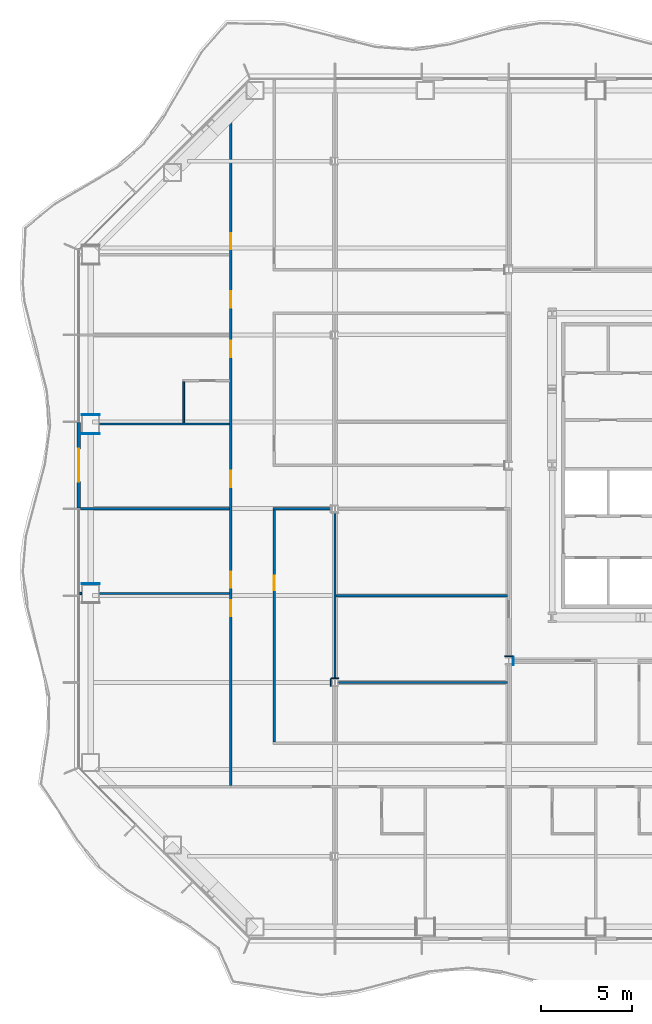
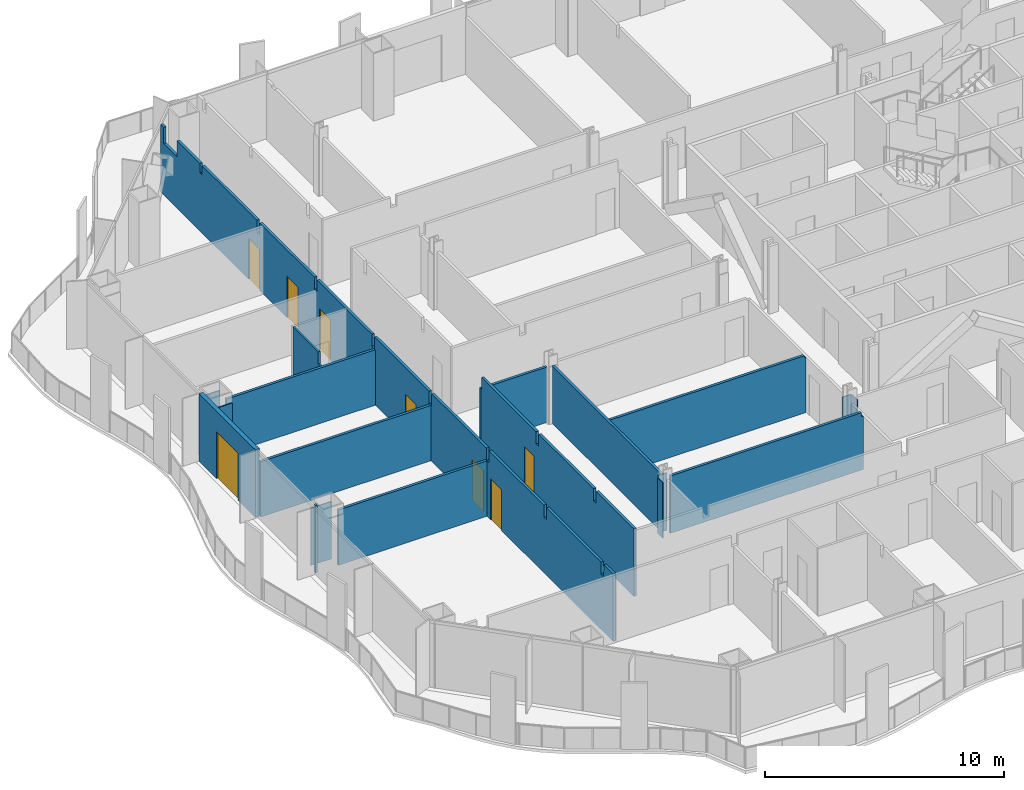
# One storey, part 7 of 21: 19 walls, 8 doors, 8 openings.
"""IFC4 building model written with IfcOpenShell, lengths in metres."""

from ifc_helpers import new_model, si_unit, direction, frame, frame_2d, origin, place, context, subcontext, project, spatial, polyline, rectangle, outline, extrude, material, layer, layer_set, type_object, element, fill, save


model = new_model("IFC4")

# Units and contexts
model_context = context("Model", 3, precision=1e-05, world=origin(), true_north=direction((0.0, 1.0)))
body_context = subcontext(model_context, "Body", "Model", "MODEL_VIEW")
ifc_project = project(units=[si_unit("LENGTHUNIT", "METRE"), si_unit("AREAUNIT", "SQUARE_METRE"), si_unit("VOLUMEUNIT", "CUBIC_METRE"), si_unit("PLANEANGLEUNIT", "RADIAN"), si_unit("MASSUNIT", "GRAM", prefix="KILO")], contexts=[model_context])

# Site, building, storey
site_placement = place(None, origin())
site = spatial("IfcSite", under=ifc_project, at=site_placement, CompositionType="ELEMENT")
building_placement = place(site_placement, origin())
building = spatial("IfcBuilding", under=site, at=building_placement, Name="Cairn Pilgrim Tower", CompositionType="ELEMENT")
storey_placement = place(building_placement, frame((0.0, 0.0, 43.800048828125)))
storey = spatial("IfcBuildingStorey", under=building, at=storey_placement, Name="L08", CompositionType="ELEMENT", Elevation=43.800048828125)

# Wall, opening, door
ifc_material_1 = material(Name="Bronze anodised aluminium insulated sandwich panel with mineral wool fill", Category="aluminium")
ifc_layer_1 = layer(ifc_material_1, 0.199951171875)
ifc_layer_set_1 = layer_set([ifc_layer_1], Name="BRONZE INFILL FRAME WALL 200")
wall_type_1 = type_object("IfcWallType", Name="BRONZE INFILL FRAME WALL 200", PredefinedType="NOTDEFINED", material=ifc_layer_set_1)
wall_1_placement = place(storey_placement, frame((-28.550048828125, 4.77001953125, 0.0), z_axis=(0.0, 0.0, 1.0), x_axis=(0.0, -1.0, 0.0)))
wall_1 = element("IfcWall", 1, at=wall_1_placement, inside=storey, type_object=wall_type_1, Name="Bronze infill frame wall IW-W3", PredefinedType="NOTDEFINED", context=body_context, shape_type="SweptSolid", body=[
    extrude(rectangle(XDim=4.739990234375, YDim=0.199951171875, at=frame_2d((2.3701171875, 0.0))), origin(), (0.0, 0.0, 1.0), 3.449951171875),
])
opening_1_placement = place(wall_1_placement, frame((1.469970703125, 0.0, 0.0)))
opening_1 = element("IfcOpeningElement", 2, at=opening_1_placement, cuts=wall_1, Name="Opening 0811B", PredefinedType="OPENING", context=body_context, shape_type="SweptSolid", body=[
    extrude(rectangle(XDim=1.800048828125, YDim=2.39990234375, at=frame_2d((0.89990234375, 1.199951171875))), frame((0.0, 0.10986328125, 0.0), z_axis=(0.0, -1.0, 0.0), x_axis=(1.0, 0.0, 0.0)), (0.0, 0.0, 1.0), 0.219970703125),
])
ifc_material_2 = material(Name="Bronze anodised aluminium frame with tinted low-E glass", Category="aluminium")
door_type_1 = type_object("IfcDoorType", Name="BALCONY SLIDING DOOR 1800x2400", OperationType="DOUBLE_DOOR_SLIDING", PredefinedType="DOOR", material=ifc_material_2)
door_1_placement = place(opening_1_placement, origin())
door_1 = element("IfcDoor", 3, at=door_1_placement, inside=storey, type_object=door_type_1, Name="Balcony sliding door 0811B", OperationType="SINGLE_SWING_LEFT", OverallHeight=2.39990234375, OverallWidth=1.800048828125, PredefinedType="DOOR", context=body_context, shape_type="SweptSolid", body=[
    extrude(rectangle(XDim=1.800048828125, YDim=2.39990234375, at=frame_2d((0.89990234375, 1.199951171875))), frame((0.0, 0.02490234375, 0.0), z_axis=(0.0, -1.0, 0.0), x_axis=(1.0, 0.0, 0.0)), (0.0, 0.0, 1.0), 0.050048828125),
])
fill(opening_1, door_1)

# Wall
ifc_material_3 = material(Name="Gypsum partition")
ifc_layer_2 = layer(ifc_material_3, 0.10009765625)
ifc_layer_set_2 = layer_set([ifc_layer_2], Name="PARTITION 100 DRYWALL")
wall_type_2 = type_object("IfcWallType", Name="PARTITION 100 DRYWALL", PredefinedType="PARTITIONING", material=ifc_layer_set_2)
wall_2_placement = place(storey_placement, frame((-22.75, 4.738525390625, 0.0), z_axis=(0.0, 0.0, 1.0), x_axis=(0.0, 1.0, 0.0)))
element("IfcWall", 4, at=wall_2_placement, inside=storey, type_object=wall_type_2, Name="PARTITION W065", PredefinedType="PARTITIONING", context=body_context, shape_type="SweptSolid", body=[
    extrude(outline(polyline([(0.0, 0.0), (2.287353515625, 0.0), (2.28759765625, 3.449951171875), (0.17138671875, 3.449951171875), (0.16943359375, 2.829833984375), (0.0, 2.829833984375), (0.0, 0.0)])), frame((0.0, 0.050048828125, 0.0), z_axis=(0.0, -1.0, 0.0), x_axis=(1.0, 0.0, 0.0)), (0.0, 0.0, 1.0), 0.10009765625),
])

# Wall, openings, doors
ifc_layer_3 = layer(ifc_material_3, 0.125)
ifc_layer_set_3 = layer_set([ifc_layer_3], Name="PARTITION 125 DRYWALL EI 60")
wall_type_3 = type_object("IfcWallType", Name="PARTITION 125 DRYWALL EI 60", PredefinedType="PARTITIONING", material=ifc_layer_set_3)
wall_3_placement = place(storey_placement, frame((-20.14990234375, -15.28759765625, 0.0), z_axis=(0.0, 0.0, 1.0), x_axis=(0.0, 1.0, 0.0)))
wall_3 = element("IfcWall", 5, at=wall_3_placement, inside=storey, type_object=wall_type_3, Name="PARTITION W023", PredefinedType="PARTITIONING", context=body_context, shape_type="SweptSolid", body=[
    extrude(outline(polyline([(0.0, 0.0), (37.876220703125, 0.0), (37.876220703125, 3.449951171875), (37.622314453125, 3.449951171875), (37.6201171875, 2.6298828125), (36.507080078125, 2.6298828125), (36.505126953125, 3.449951171875), (34.58251953125, 3.449951171875), (34.58056640625, 2.97998046875), (34.392578125, 2.97998046875), (34.390380859375, 3.449951171875), (29.797607421875, 3.449951171875), (29.79541015625, 2.829833984375), (29.577392578125, 2.829833984375), (29.575439453125, 3.449951171875), (24.99755859375, 3.449951171875), (24.99560546875, 2.829833984375), (24.777587890625, 2.829833984375), (24.775390625, 3.449951171875), (20.197509765625, 3.449951171875), (20.195556640625, 2.829833984375), (19.9775390625, 2.829833984375), (19.9755859375, 3.449951171875), (15.3974609375, 3.449951171875), (15.3955078125, 2.829833984375), (15.177490234375, 2.829833984375), (15.175537109375, 3.449951171875), (10.597412109375, 3.449951171875), (10.595458984375, 2.829833984375), (10.37744140625, 2.829833984375), (10.37548828125, 3.449951171875), (5.797607421875, 3.449951171875), (5.79541015625, 2.829833984375), (5.577392578125, 2.829833984375), (5.575439453125, 3.449951171875), (0.99755859375, 3.449951171875), (0.99560546875, 2.829833984375), (0.777587890625, 2.829833984375), (0.775390625, 3.449951171875), (0.0, 3.449951171875), (0.0, 0.0)])), frame((0.0, 0.0625, 0.0), z_axis=(0.0, -1.0, 0.0), x_axis=(1.0, 0.0, 0.0)), (0.0, 0.0, 1.0), 0.125),
])
opening_2_placement = place(wall_3_placement, frame((9.33740234375, 0.0, 0.0)))
opening_2 = element("IfcOpeningElement", 6, at=opening_2_placement, cuts=wall_3, Name="Opening 0809", PredefinedType="OPENING", context=body_context, shape_type="SweptSolid", body=[
    extrude(rectangle(XDim=0.89990234375, YDim=2.10009765625, at=frame_2d((0.449951171875, 1.050048828125))), frame((0.0, 0.072509765625, 0.0), z_axis=(0.0, -1.0, 0.0), x_axis=(1.0, 0.0, 0.0)), (0.0, 0.0, 1.0), 0.14501953125),
])
opening_3_placement = place(wall_3_placement, frame((10.91162109375, 0.0, 0.0)))
opening_3 = element("IfcOpeningElement", 7, at=opening_3_placement, cuts=wall_3, Name="Opening 0810", PredefinedType="OPENING", context=body_context, shape_type="SweptSolid", body=[
    extrude(rectangle(XDim=0.89990234375, YDim=2.10009765625, at=frame_2d((0.449951171875, 1.050048828125))), frame((0.0, 0.072509765625, 0.0), z_axis=(0.0, -1.0, 0.0), x_axis=(1.0, 0.0, 0.0)), (0.0, 0.0, 1.0), 0.14501953125),
])
opening_4_placement = place(wall_3_placement, frame((16.487548828125, 0.0, 0.0)))
opening_4 = element("IfcOpeningElement", 8, at=opening_4_placement, cuts=wall_3, Name="Opening 0811", PredefinedType="OPENING", context=body_context, shape_type="SweptSolid", body=[
    extrude(rectangle(XDim=0.89990234375, YDim=2.10009765625, at=frame_2d((0.449951171875, 1.050048828125))), frame((0.0, 0.072509765625, 0.0), z_axis=(0.0, -1.0, 0.0), x_axis=(1.0, 0.0, 0.0)), (0.0, 0.0, 1.0), 0.14501953125),
])
opening_5_placement = place(wall_3_placement, frame((23.66357421875, 0.0, 0.0)))
opening_5 = element("IfcOpeningElement", 9, at=opening_5_placement, cuts=wall_3, Name="Opening 0812", PredefinedType="OPENING", context=body_context, shape_type="SweptSolid", body=[
    extrude(rectangle(XDim=0.89990234375, YDim=2.10009765625, at=frame_2d((0.449951171875, 1.050048828125))), frame((0.0, 0.072509765625, 0.0), z_axis=(0.0, -1.0, 0.0), x_axis=(1.0, 0.0, 0.0)), (0.0, 0.0, 1.0), 0.14501953125),
])
opening_6_placement = place(wall_3_placement, frame((26.387451171875, 0.0, 0.0)))
opening_6 = element("IfcOpeningElement", 10, at=opening_6_placement, cuts=wall_3, Name="Opening 0813", PredefinedType="OPENING", context=body_context, shape_type="SweptSolid", body=[
    extrude(rectangle(XDim=0.89990234375, YDim=2.10009765625, at=frame_2d((0.449951171875, 1.050048828125))), frame((0.0, 0.072509765625, 0.0), z_axis=(0.0, -1.0, 0.0), x_axis=(1.0, 0.0, 0.0)), (0.0, 0.0, 1.0), 0.14501953125),
])
opening_7_placement = place(wall_3_placement, frame((29.614501953125, 0.0, 0.0)))
opening_7 = element("IfcOpeningElement", 11, at=opening_7_placement, cuts=wall_3, Name="Opening 0814", PredefinedType="OPENING", context=body_context, shape_type="SweptSolid", body=[
    extrude(rectangle(XDim=0.89990234375, YDim=2.10009765625, at=frame_2d((0.449951171875, 1.050048828125))), frame((0.0, 0.072509765625, 0.0), z_axis=(0.0, -1.0, 0.0), x_axis=(1.0, 0.0, 0.0)), (0.0, 0.0, 1.0), 0.14501953125),
])
ifc_material_4 = material(Name="Steel-faced fire door leaf", Category="steel")
door_type_2 = type_object("IfcDoorType", Name="FIRE DOOR 900x2100 FD30S", OperationType="NOTDEFINED", PredefinedType="DOOR", material=ifc_material_4)
door_2_placement = place(opening_2_placement, origin())
door_2 = element("IfcDoor", 12, at=door_2_placement, inside=storey, type_object=door_type_2, Name="DOOR 0809", OperationType="SINGLE_SWING_LEFT", OverallHeight=2.10009765625, OverallWidth=0.89990234375, PredefinedType="DOOR", context=body_context, shape_type="SweptSolid", body=[
    extrude(rectangle(XDim=0.89990234375, YDim=2.10009765625, at=frame_2d((0.449951171875, 1.050048828125))), frame((0.0, 0.02490234375, 0.0), z_axis=(0.0, -1.0, 0.0), x_axis=(1.0, 0.0, 0.0)), (0.0, 0.0, 1.0), 0.050048828125),
])
fill(opening_2, door_2)
door_3_placement = place(opening_3_placement, origin())
door_3 = element("IfcDoor", 13, at=door_3_placement, inside=storey, type_object=door_type_2, Name="DOOR 0810", OperationType="SINGLE_SWING_RIGHT", OverallHeight=2.10009765625, OverallWidth=0.89990234375, PredefinedType="DOOR", context=body_context, shape_type="SweptSolid", body=[
    extrude(rectangle(XDim=0.89990234375, YDim=2.10009765625, at=frame_2d((0.449951171875, 1.050048828125))), frame((0.0, 0.02490234375, 0.0), z_axis=(0.0, -1.0, 0.0), x_axis=(1.0, 0.0, 0.0)), (0.0, 0.0, 1.0), 0.050048828125),
])
fill(opening_3, door_3)
door_4_placement = place(opening_4_placement, origin())
door_4 = element("IfcDoor", 14, at=door_4_placement, inside=storey, type_object=door_type_2, Name="DOOR 0811", OperationType="SINGLE_SWING_LEFT", OverallHeight=2.10009765625, OverallWidth=0.89990234375, PredefinedType="DOOR", context=body_context, shape_type="SweptSolid", body=[
    extrude(rectangle(XDim=0.89990234375, YDim=2.10009765625, at=frame_2d((0.449951171875, 1.050048828125))), frame((0.0, 0.02490234375, 0.0), z_axis=(0.0, -1.0, 0.0), x_axis=(1.0, 0.0, 0.0)), (0.0, 0.0, 1.0), 0.050048828125),
])
fill(opening_4, door_4)
door_5_placement = place(opening_5_placement, origin())
door_5 = element("IfcDoor", 15, at=door_5_placement, inside=storey, type_object=door_type_2, Name="DOOR 0812", OperationType="SINGLE_SWING_RIGHT", OverallHeight=2.10009765625, OverallWidth=0.89990234375, PredefinedType="DOOR", context=body_context, shape_type="SweptSolid", body=[
    extrude(rectangle(XDim=0.89990234375, YDim=2.10009765625, at=frame_2d((0.449951171875, 1.050048828125))), frame((0.0, 0.02490234375, 0.0), z_axis=(0.0, -1.0, 0.0), x_axis=(1.0, 0.0, 0.0)), (0.0, 0.0, 1.0), 0.050048828125),
])
fill(opening_5, door_5)
door_6_placement = place(opening_6_placement, origin())
door_6 = element("IfcDoor", 16, at=door_6_placement, inside=storey, type_object=door_type_2, Name="DOOR 0813", OperationType="SINGLE_SWING_RIGHT", OverallHeight=2.10009765625, OverallWidth=0.89990234375, PredefinedType="DOOR", context=body_context, shape_type="SweptSolid", body=[
    extrude(rectangle(XDim=0.89990234375, YDim=2.10009765625, at=frame_2d((0.449951171875, 1.050048828125))), frame((0.0, 0.02490234375, 0.0), z_axis=(0.0, -1.0, 0.0), x_axis=(1.0, 0.0, 0.0)), (0.0, 0.0, 1.0), 0.050048828125),
])
fill(opening_6, door_6)
door_7_placement = place(opening_7_placement, origin())
door_7 = element("IfcDoor", 17, at=door_7_placement, inside=storey, type_object=door_type_2, Name="DOOR 0814", OperationType="SINGLE_SWING_LEFT", OverallHeight=2.10009765625, OverallWidth=0.89990234375, PredefinedType="DOOR", context=body_context, shape_type="SweptSolid", body=[
    extrude(rectangle(XDim=0.89990234375, YDim=2.10009765625, at=frame_2d((0.449951171875, 1.050048828125))), frame((0.0, 0.02490234375, 0.0), z_axis=(0.0, -1.0, 0.0), x_axis=(1.0, 0.0, 0.0)), (0.0, 0.0, 1.0), 0.050048828125),
])
fill(opening_7, door_7)

# Wall, opening, door
wall_4_placement = place(storey_placement, frame((-17.75, -12.887451171875, 0.0), z_axis=(0.0, 0.0, 1.0), x_axis=(0.0, 1.0, 0.0)))
wall_4 = element("IfcWall", 18, at=wall_4_placement, inside=storey, type_object=wall_type_3, Name="PARTITION W027", PredefinedType="PARTITIONING", context=body_context, shape_type="SweptSolid", body=[
    extrude(outline(polyline([(0.0, 0.0), (12.824951171875, 0.0), (12.824951171875, 2.829833984375), (12.777587890625, 2.829833984375), (12.775390625, 3.449951171875), (8.197509765625, 3.449951171875), (8.195556640625, 2.829833984375), (7.9775390625, 2.829833984375), (7.9755859375, 3.449951171875), (3.3974609375, 3.449951171875), (3.3955078125, 2.829833984375), (3.177490234375, 2.829833984375), (3.175537109375, 3.449951171875), (0.0, 3.449951171875), (0.0, 0.0)])), frame((0.0, 0.0625, 0.0), z_axis=(0.0, -1.0, 0.0), x_axis=(1.0, 0.0, 0.0)), (0.0, 0.0, 1.0), 0.125),
])
opening_8_placement = place(wall_4_placement, frame((8.387451171875, 0.0, 0.0)))
opening_8 = element("IfcOpeningElement", 19, at=opening_8_placement, cuts=wall_4, Name="Opening 0832", PredefinedType="OPENING", context=body_context, shape_type="SweptSolid", body=[
    extrude(rectangle(XDim=0.800048828125, YDim=2.10009765625, at=frame_2d((0.39990234375, 1.050048828125))), frame((0.0, 0.072509765625, 0.0), z_axis=(0.0, -1.0, 0.0), x_axis=(1.0, 0.0, 0.0)), (0.0, 0.0, 1.0), 0.14501953125),
])
door_type_3 = type_object("IfcDoorType", Name="FIRE DOOR 800x2100 FD30S", OperationType="NOTDEFINED", PredefinedType="DOOR", material=ifc_material_4)
door_8_placement = place(opening_8_placement, frame((0.800048828125, 0.0, 0.0), z_axis=(0.0, 0.0, 1.0), x_axis=(-1.0, 0.0, 0.0)))
door_8 = element("IfcDoor", 20, at=door_8_placement, inside=storey, type_object=door_type_3, Name="DOOR 0832", OperationType="SINGLE_SWING_LEFT", OverallHeight=2.10009765625, OverallWidth=0.800048828125, PredefinedType="DOOR", context=body_context, shape_type="SweptSolid", body=[
    extrude(rectangle(XDim=0.800048828125, YDim=2.10009765625, at=frame_2d((0.39990234375, 1.050048828125))), frame((0.0, 0.02490234375, 0.0), z_axis=(0.0, -1.0, 0.0), x_axis=(1.0, 0.0, 0.0)), (0.0, 0.0, 1.0), 0.050048828125),
])
fill(opening_8, door_8)

# Walls
wall_5_placement = place(storey_placement, frame((-14.195556640625, -9.60009765625, 0.0), z_axis=(0.0, 0.0, 1.0), x_axis=(1.0, 0.0, 0.0)))
element("IfcWall", 21, at=wall_5_placement, inside=storey, type_object=wall_type_3, Name="PARTITION W036", PredefinedType="PARTITIONING", context=body_context, shape_type="SweptSolid", body=[
    extrude(outline(polyline([(0.0, 0.0), (9.3330078125, 0.0), (9.3330078125, 2.72998046875), (9.24560546875, 2.72998046875), (9.243408203125, 2.929931640625), (0.0, 2.929931640625), (0.0, 0.0)])), frame((0.0, 0.0625, 0.0), z_axis=(0.0, -1.0, 0.0), x_axis=(1.0, 0.0, 0.0)), (0.0, 0.0, 1.0), 0.125),
])
wall_6_placement = place(storey_placement, frame((-14.39990234375, -9.387451171875, 0.0), z_axis=(0.0, 0.0, 1.0), x_axis=(0.0, 1.0, 0.0)))
element("IfcWall", 22, at=wall_6_placement, inside=storey, type_object=wall_type_3, Name="PARTITION W039", PredefinedType="PARTITIONING", context=body_context, shape_type="SweptSolid", body=[
    extrude(rectangle(XDim=9.175048828125, YDim=0.125, at=frame_2d((4.58740234375, 0.0))), origin(), (0.0, 0.0, 1.0), 2.929931640625),
])
wall_7_placement = place(storey_placement, frame((-14.33740234375, -4.800048828125, 0.0), z_axis=(0.0, 0.0, 1.0), x_axis=(1.0, 0.0, 0.0)))
element("IfcWall", 23, at=wall_7_placement, inside=storey, type_object=wall_type_3, Name="PARTITION W046", PredefinedType="PARTITIONING", context=body_context, shape_type="SweptSolid", body=[
    extrude(outline(polyline([(0.0, 0.0), (9.474853515625, 0.0), (9.47509765625, 2.829833984375), (9.387451171875, 2.829833984375), (9.385498046875, 2.929931640625), (0.0, 2.929931640625), (0.0, 0.0)])), frame((0.0, 0.0625, 0.0), z_axis=(0.0, -1.0, 0.0), x_axis=(1.0, 0.0, 0.0)), (0.0, 0.0, 1.0), 0.125),
])
wall_8_placement = place(storey_placement, frame((-28.5029296875, -4.676025390625, 0.0), z_axis=(0.0, 0.0, 1.0), x_axis=(1.0, 0.0, 0.0)))
element("IfcWall", 24, at=wall_8_placement, inside=storey, type_object=wall_type_3, Name="PARTITION W047", PredefinedType="PARTITIONING", context=body_context, shape_type="SweptSolid", body=[
    extrude(rectangle(XDim=0.10302734375, YDim=0.125, at=frame_2d((0.051513671875, 0.0))), origin(), (0.0, 0.0, 1.0), 3.449951171875),
])
wall_9_placement = place(storey_placement, frame((-27.39990234375, -4.676025390625, 0.0), z_axis=(0.0, 0.0, 1.0), x_axis=(1.0, 0.0, 0.0)))
element("IfcWall", 25, at=wall_9_placement, inside=storey, type_object=wall_type_3, Name="PARTITION W048", PredefinedType="PARTITIONING", context=body_context, shape_type="SweptSolid", body=[
    extrude(rectangle(XDim=7.1875, YDim=0.125, at=frame_2d((3.59375, 0.0))), origin(), (0.0, 0.0, 1.0), 2.829833984375),
])
wall_10_placement = place(storey_placement, frame((-28.449951171875, 0.0, 0.0), z_axis=(0.0, 0.0, 1.0), x_axis=(1.0, 0.0, 0.0)))
element("IfcWall", 26, at=wall_10_placement, inside=storey, type_object=wall_type_3, Name="PARTITION W053", PredefinedType="PARTITIONING", context=body_context, shape_type="SweptSolid", body=[
    extrude(rectangle(XDim=8.237548828125, YDim=0.125, at=frame_2d((4.11865234375, 0.0))), origin(), (0.0, 0.0, 1.0), 2.829833984375),
])
wall_11_placement = place(storey_placement, frame((-17.8125, 0.0, 0.0), z_axis=(0.0, 0.0, 1.0), x_axis=(1.0, 0.0, 0.0)))
element("IfcWall", 27, at=wall_11_placement, inside=storey, type_object=wall_type_3, Name="PARTITION W054", PredefinedType="PARTITIONING", context=body_context, shape_type="SweptSolid", body=[
    extrude(rectangle(XDim=3.2080078125, YDim=0.125, at=frame_2d((1.60400390625, 0.0))), origin(), (0.0, 0.0, 1.0), 2.829833984375),
])
wall_12_placement = place(storey_placement, frame((-27.39990234375, 4.676025390625, 0.0), z_axis=(0.0, 0.0, 1.0), x_axis=(1.0, 0.0, 0.0)))
element("IfcWall", 28, at=wall_12_placement, inside=storey, type_object=wall_type_3, Name="PARTITION W064", PredefinedType="PARTITIONING", context=body_context, shape_type="SweptSolid", body=[
    extrude(rectangle(XDim=7.1875, YDim=0.125, at=frame_2d((3.59375, 0.0))), origin(), (0.0, 0.0, 1.0), 2.829833984375),
])
ifc_layer_4 = layer(ifc_material_3, 0.050048828125)
ifc_layer_set_4 = layer_set([ifc_layer_4], Name="PARTITION 50 DRYWALL EI 60")
wall_type_4 = type_object("IfcWallType", Name="PARTITION 50 DRYWALL EI 60", PredefinedType="PARTITIONING", material=ifc_layer_set_4)
wall_13_placement = place(storey_placement, frame((-14.62939453125, -9.8125, 0.0), z_axis=(0.0, 0.0, 1.0), x_axis=(0.0, 1.0, 0.0)))
element("IfcWall", 29, at=wall_13_placement, inside=storey, type_object=wall_type_4, Name="COLUMN CASING WC12", PredefinedType="PARTITIONING", context=body_context, shape_type="SweptSolid", body=[
    extrude(rectangle(XDim=0.425048828125, YDim=0.050048828125, at=frame_2d((0.21240234375, 0.0))), origin(), (0.0, 0.0, 1.0), 2.829833984375),
])
wall_14_placement = place(storey_placement, frame((-4.56298828125, -8.636962890625, 0.0), z_axis=(0.0, 0.0, 1.0), x_axis=(0.0, 1.0, 0.0)))
element("IfcWall", 30, at=wall_14_placement, inside=storey, type_object=wall_type_4, Name="COLUMN CASING WC14", PredefinedType="PARTITIONING", context=body_context, shape_type="SweptSolid", body=[
    extrude(rectangle(XDim=0.473876953125, YDim=0.050048828125, at=frame_2d((0.23681640625, 0.0))), origin(), (0.0, 0.0, 1.0), 2.829833984375),
])
wall_15_placement = place(storey_placement, frame((-14.6044921875, -9.362548828125, 0.0), z_axis=(0.0, 0.0, 1.0), x_axis=(1.0, 0.0, 0.0)))
element("IfcWall", 31, at=wall_15_placement, inside=storey, type_object=wall_type_4, Name="COLUMN CASING WC15", PredefinedType="PARTITIONING", context=body_context, shape_type="SweptSolid", body=[
    extrude(rectangle(XDim=0.408935546875, YDim=0.050048828125, at=frame_2d((0.20458984375, 0.0))), origin(), (0.0, 0.0, 1.0), 2.929931640625),
])
wall_16_placement = place(storey_placement, frame((-5.011962890625, -8.137939453125, 0.0), z_axis=(0.0, 0.0, 1.0), x_axis=(1.0, 0.0, 0.0)))
element("IfcWall", 32, at=wall_16_placement, inside=storey, type_object=wall_type_4, Name="COLUMN CASING WC16", PredefinedType="PARTITIONING", context=body_context, shape_type="SweptSolid", body=[
    extrude(rectangle(XDim=0.424072265625, YDim=0.050048828125, at=frame_2d((0.2119140625, 0.0))), origin(), (0.0, 0.0, 1.0), 2.829833984375),
])
for number, where, z_axis, x_axis, name in (
    (33, (-28.39990234375, -4.150634765625, 0.0), (0.0, 0.0, 1.0), (1.0, 0.0, 0.0), "COLUMN CASING WC18"),
    (34, (-28.39990234375, 5.20068359375, 0.0), (0.0, 0.0, 1.0), (1.0, 0.0, 0.0), "COLUMN CASING WC27"),
    (35, (-28.39990234375, 4.150634765625, 0.0), (0.0, 0.0, 1.0), (1.0, 0.0, 0.0), "COLUMN CASING WC28"),
):
    element("IfcWall", number, at=place(storey_placement, frame(where, z_axis=z_axis, x_axis=x_axis)), inside=storey, type_object=wall_type_4, Name=name, PredefinedType="PARTITIONING", context=body_context, shape_type="SweptSolid", body=[
        extrude(rectangle(XDim=1.0, YDim=0.050048828125, at=frame_2d((0.5, 0.0))), origin(), (0.0, 0.0, 1.0), 2.929931640625),
    ])

save(model, "model.ifc")
